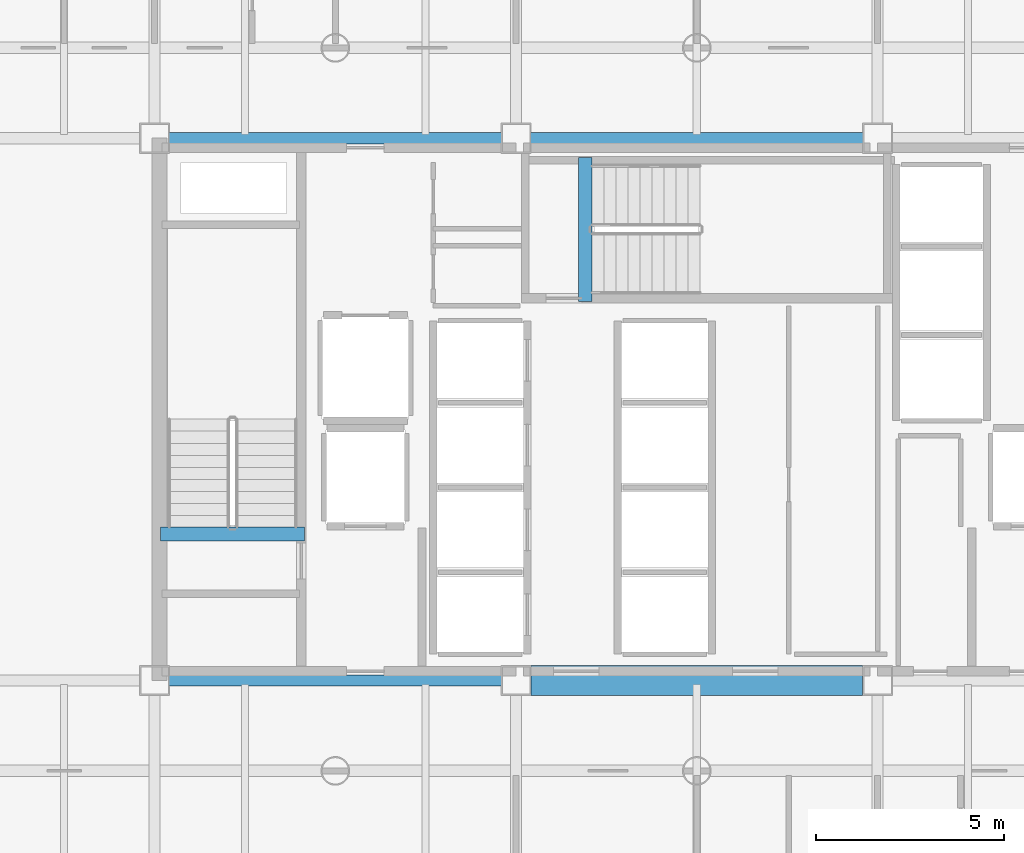
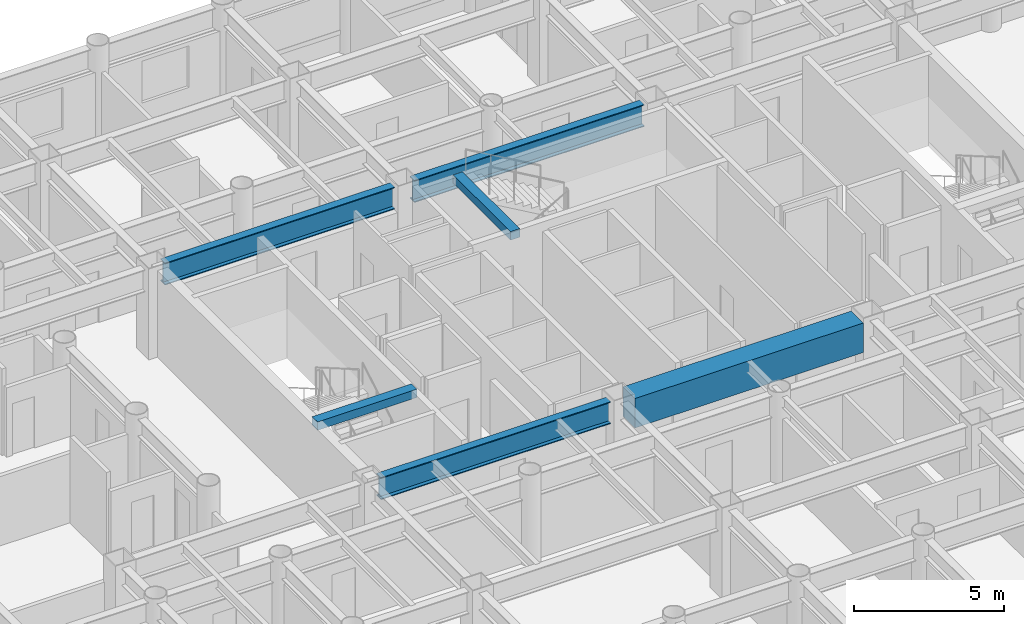
# One storey, part 5 of 20: 6 beams.
"""IFC4 building model written with IfcOpenShell, lengths in metres."""

from ifc_helpers import new_model, si_unit, direction, frame, origin, origin_2d, place, context, subcontext, project, spatial, rectangle, i_section, extrude, material, material_profile, profile_set, type_object, element, save


model = new_model("IFC4")

# Units and contexts
model_context = context("Model", 3, precision=1e-05, world=origin(), true_north=direction((0.0, 1.0)))
body_context = subcontext(model_context, "Body", "Model", "MODEL_VIEW")
ifc_project = project(units=[si_unit("LENGTHUNIT", "METRE"), si_unit("AREAUNIT", "SQUARE_METRE"), si_unit("VOLUMEUNIT", "CUBIC_METRE"), si_unit("PLANEANGLEUNIT", "RADIAN"), si_unit("MASSUNIT", "GRAM", prefix="KILO")], contexts=[model_context])

# Site, building, storey
site_placement = place(None, origin())
site = spatial("IfcSite", under=ifc_project, at=site_placement, CompositionType="ELEMENT")
building_placement = place(site_placement, origin())
building = spatial("IfcBuilding", under=site, at=building_placement, Name="Kallvorn Hotel Tower", CompositionType="ELEMENT")
storey_placement = place(building_placement, frame((0.0, 0.0, 70.699951171875)))
storey = spatial("IfcBuildingStorey", under=building, at=storey_placement, Name="L16", CompositionType="ELEMENT", Elevation=70.699951171875)

# Beams
ifc_material_1 = material(Name="Structural steel S355JR", Category="steel")
ifc_material_profile_1 = material_profile(ifc_material_1, i_section(OverallWidth=0.300048828125, OverallDepth=0.89990234375, WebThickness=0.0185546875, FlangeThickness=0.034912109375, at=origin_2d()), Name="HE 900 B")
ifc_profile_set_1 = profile_set([ifc_material_profile_1], Name="Structural steel S355JR")
beam_type_1 = type_object("IfcBeamType", Name="BM_HE900B", PredefinedType="BEAM", material=ifc_profile_set_1)
for number, where, z_axis, x_axis, name in (
    (1, (-14.02490234375, -7.199951171875, 3.070068359375), (1.0, 0.0, 0.0), (0.0, 1.0, 0.0), "L17 Primary X-Girder 34"),
    (2, (-14.02490234375, 7.199951171875, 3.070068359375), (1.0, 0.0, 0.0), (0.0, 1.0, 0.0), "L17 Primary X-Girder 38"),
):
    element("IfcBeam", number, at=place(storey_placement, frame(where, z_axis=z_axis, x_axis=x_axis)), inside=storey, type_object=beam_type_1, Name=name, PredefinedType="BEAM", context=body_context, shape_type="SweptSolid", body=[
        extrude(i_section(OverallWidth=0.300048828125, OverallDepth=0.89990234375, WebThickness=0.0185546875, FlangeThickness=0.034912109375, at=origin_2d()), origin(), (0.0, 0.0, 1.0), 8.849853515625),
    ])
beam_1_placement = place(storey_placement, frame((-4.425048828125, 7.199951171875, 3.070068359375), z_axis=(1.0, 0.0, 0.0), x_axis=(0.0, 1.0, 0.0)))
element("IfcBeam", 3, at=beam_1_placement, inside=storey, type_object=beam_type_1, Name="L17 Primary X-Girder 39", PredefinedType="BEAM", context=body_context, shape_type="SweptSolid", body=[
    extrude(i_section(OverallWidth=0.300048828125, OverallDepth=0.89990234375, WebThickness=0.0185546875, FlangeThickness=0.034912109375, at=origin_2d()), origin(), (0.0, 0.0, 1.0), 8.85009765625),
])
ifc_material_2 = material(Name="Concrete C50/60", Category="concrete")
ifc_material_profile_2 = material_profile(ifc_material_2, rectangle(XDim=0.360107421875, YDim=0.340087890625, at=origin_2d()), Name="RC 360x340")
ifc_profile_set_2 = profile_set([ifc_material_profile_2], Name="Concrete C50/60")
beam_type_2 = type_object("IfcBeamType", Name="BM_RC_400x360", PredefinedType="BEAM", material=ifc_profile_set_2)
beam_2_placement = place(storey_placement, frame((-10.419921875, -3.31005859375, 3.35009765625), z_axis=(-1.0, 0.0, 0.0), x_axis=(0.0, -1.0, 0.0)))
element("IfcBeam", 4, at=beam_2_placement, inside=storey, type_object=beam_type_2, Name="L17 Stair ST1 Arrival Trimmer Beam", PredefinedType="BEAM", context=body_context, shape_type="SweptSolid", body=[
    extrude(rectangle(XDim=0.360107421875, YDim=0.340087890625, at=origin_2d()), origin(), (0.0, 0.0, 1.0), 3.820068359375),
])
beam_3_placement = place(storey_placement, frame((-2.9599609375, 2.8701171875, 3.35009765625), z_axis=(0.0, 1.0, 0.0), x_axis=(-1.0, 0.0, 0.0)))
element("IfcBeam", 5, at=beam_3_placement, inside=storey, type_object=beam_type_2, Name="L17 Stair ST3 Arrival Trimmer Beam", PredefinedType="BEAM", context=body_context, shape_type="SweptSolid", body=[
    extrude(rectangle(XDim=0.360107421875, YDim=0.340087890625, at=origin_2d()), origin(), (0.0, 0.0, 1.0), 3.81982421875),
])
ifc_material_3 = material(Name="Concrete C50/60", Category="concrete")
ifc_material_profile_3 = material_profile(ifc_material_3, rectangle(XDim=0.800048828125, YDim=1.199951171875, at=origin_2d()), Name="RC 800x1200")
ifc_profile_set_3 = profile_set([ifc_material_profile_3], Name="Concrete C50/60")
beam_type_3 = type_object("IfcBeamType", Name="BM_RC_800x1200", PredefinedType="T_BEAM", material=ifc_profile_set_3)
beam_4_placement = place(storey_placement, frame((-4.39990234375, -7.199951171875, 2.920166015625), z_axis=(1.0, 0.0, 0.0), x_axis=(0.0, 1.0, 0.0)))
element("IfcBeam", 6, at=beam_4_placement, inside=storey, type_object=beam_type_3, Name="L16 Core Coupling Beam South", PredefinedType="T_BEAM", context=body_context, shape_type="SweptSolid", body=[
    extrude(rectangle(XDim=0.800048828125, YDim=1.199951171875, at=origin_2d()), origin(), (0.0, 0.0, 1.0), 8.7998046875),
])

save(model, "model.ifc")
